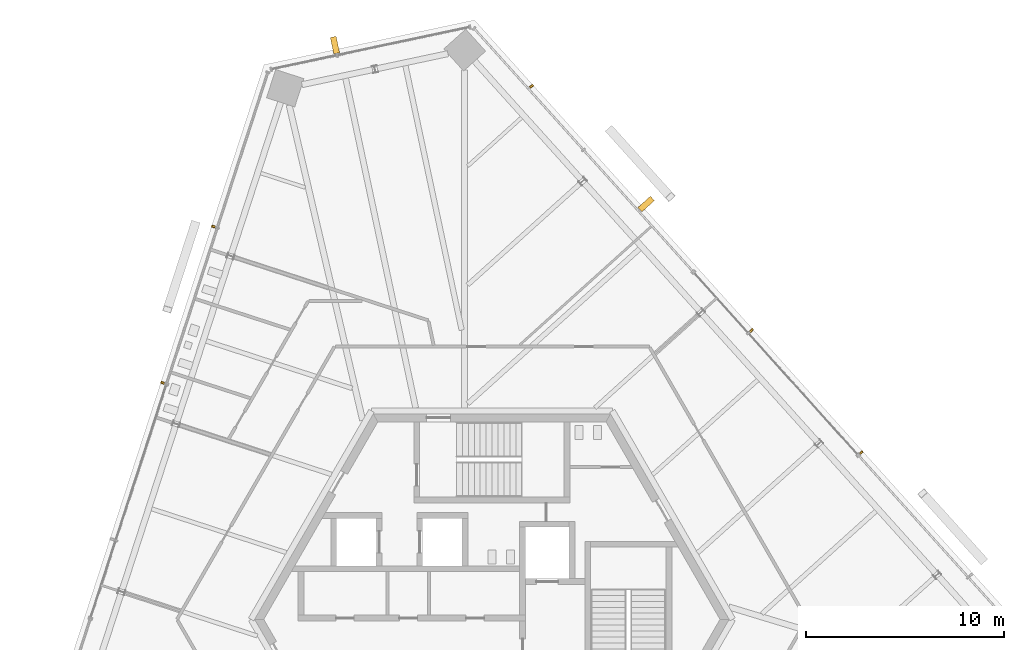
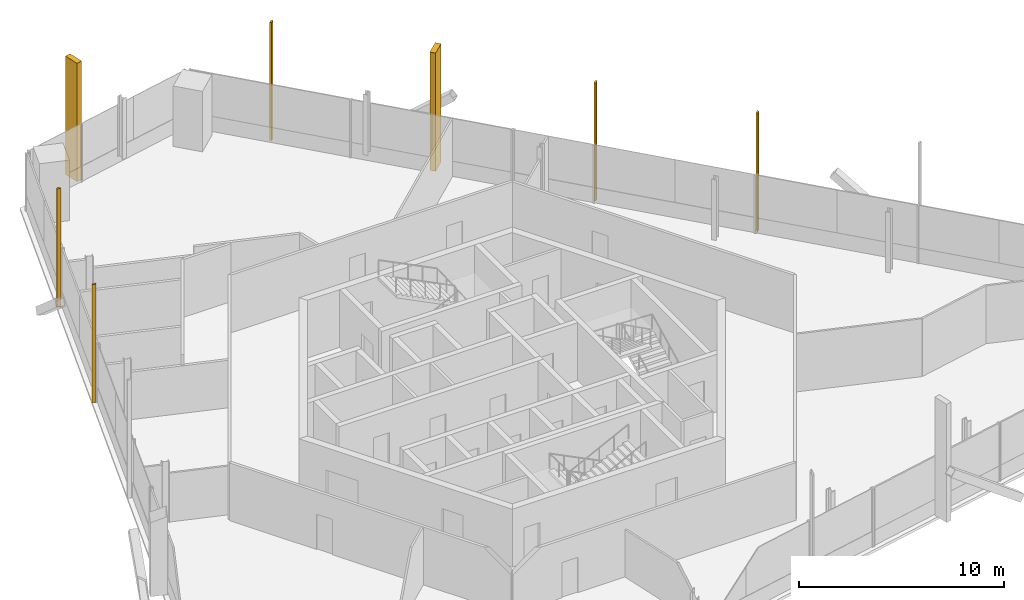
# One storey, part 15 of 16: 7 shading devices.
"""IFC4 building model written with IfcOpenShell, lengths in metres."""

from ifc_helpers import new_model, si_unit, direction, frame, origin, origin_2d, place, context, subcontext, project, spatial, rectangle, extrude, source, transform, mapped, material, element, save


model = new_model("IFC4")

# Units and contexts
model_context = context("Model", 3, precision=1e-05, world=origin(), true_north=direction((0.0, 1.0)))
body_context = subcontext(model_context, "Body", "Model", "MODEL_VIEW")
ifc_project = project(units=[si_unit("LENGTHUNIT", "METRE"), si_unit("AREAUNIT", "SQUARE_METRE"), si_unit("VOLUMEUNIT", "CUBIC_METRE"), si_unit("PLANEANGLEUNIT", "RADIAN"), si_unit("MASSUNIT", "GRAM", prefix="KILO")], contexts=[model_context])

# Site, building, storey
site_placement = place(None, origin())
site = spatial("IfcSite", under=ifc_project, at=site_placement, CompositionType="ELEMENT")
building_placement = place(site_placement, origin())
building = spatial("IfcBuilding", under=site, at=building_placement, Name="Triune Harvest Tower", CompositionType="ELEMENT")
storey_placement = place(building_placement, frame((0.0, 0.0, 266.699951171875)))
storey = spatial("IfcBuildingStorey", under=building, at=storey_placement, Name="L70", CompositionType="ELEMENT", Elevation=266.699951171875)

# Shading devices
ifc_material = material(Name="Aluminium bronze anodised", Category="aluminium")
shared_shape_1 = source(origin(), body_context, "Body", "SweptSolid", [
    extrude(rectangle(XDim=0.10009765625, YDim=0.199951171875, at=origin_2d()), origin(), (0.0, 0.0, 1.0), 7.0400390625),
])
for number, where, z_axis, x_axis, name in (
    (1, (18.684814453125, 8.435546875, 0.0), (0.0, 0.0, 1.0), (-0.669131447108, 0.743144068463, 0.0), "FN-1 fin B7-F1.5 L70"),
    (2, (13.123291015625, 14.6123046875, 0.0), (0.0, 0.0, 1.0), (-0.669131447108, 0.743144068463, 0.0), "FN-1 fin B7-F1.7 L70"),
    (3, (2.000244140625, 26.965576171875, 0.0), (0.0, 0.0, 1.0), (-0.669131447108, 0.743144068463, 0.0), "FN-1 fin B7-F1.11 L70"),
    (4, (-14.079345703125, 19.868408203125, 0.0), (0.0, 0.0, 1.0), (-0.309016354995, -0.951056724042, 0.0), "FN-1 fin B7-F3.3 L70"),
    (5, (-16.647705078125, 11.963623046875, 0.0), (0.0, 0.0, 1.0), (-0.309016354995, -0.951056724042, 0.0), "FN-1 fin B7-F3.5 L70"),
):
    element("IfcShadingDevice", number, at=place(storey_placement, frame(where, z_axis=z_axis, x_axis=x_axis)), inside=storey, material=ifc_material, Name=name, ObjectType="FIN", PredefinedType="USERDEFINED", context=body_context, shape_type="MappedRepresentation", body=[
        mapped(shared_shape_1, transform((0.0, 0.0, 0.0), scale=1.0)),
    ])
shared_shape_2 = source(origin(), body_context, "Body", "SweptSolid", [
    extrude(rectangle(XDim=0.300048828125, YDim=0.85009765625, at=origin_2d()), origin(), (0.0, 0.0, 1.0), 7.0400390625),
])
for number, where, z_axis, x_axis, name in (
    (6, (7.80322265625, 21.00634765625, 0.0), (0.0, 0.0, 1.0), (-0.669131447108, 0.743144068463, 0.0), "FN-2 fin B7-F1.9 L70"),
    (7, (-7.938232421875, 29.046875, 0.0), (0.0, 0.0, 1.0), (-0.978149078297, -0.207904739307, 0.0), "FN-2 fin B7-F2.3 L70"),
):
    element("IfcShadingDevice", number, at=place(storey_placement, frame(where, z_axis=z_axis, x_axis=x_axis)), inside=storey, material=ifc_material, Name=name, ObjectType="FIN", PredefinedType="USERDEFINED", context=body_context, shape_type="MappedRepresentation", body=[
        mapped(shared_shape_2, transform((0.0, 0.0, 0.0), scale=1.0)),
    ])

save(model, "model.ifc")
